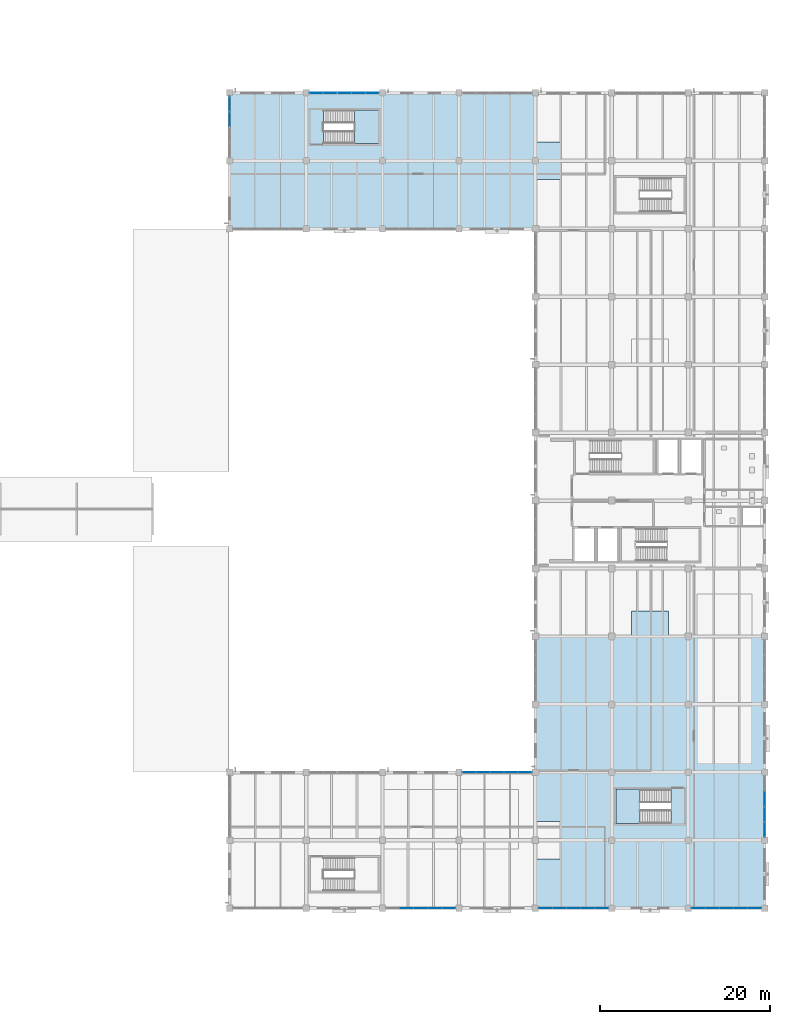
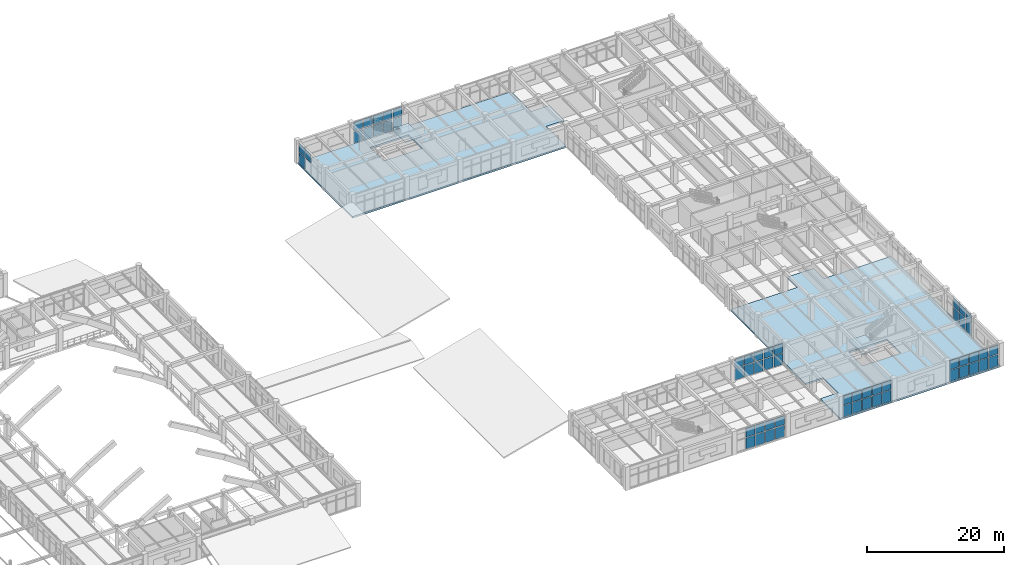
# One storey, part 121 of 148: 57 plates, 4 slabs, 9 elements without a shape of their own.
"""IFC4 building model written with IfcOpenShell, lengths in metres."""

import ifcopenshell
import ifcopenshell.guid

model = None  # the IFC model being written
_history = None  # IfcOwnerHistory: only IFC2X3 demands one
_inside = {}  # id of a spatial element -> (the spatial element, [elements in it])
_under = {}  # id of a project, library or spatial element -> (it, [spatial elements below it])
_declared = {}  # id of a project -> (the project, [libraries it declares])
_typed = {}  # id of a type object -> (the type object, [elements of that type])
_made_of = {}  # id of a material, layer set ... -> (it, [elements and type objects made of it])


def new_model(schema):
    """Start an empty IFC model of exactly this schema.

    Asked for "IFC4X3", IfcOpenShell would pick the latest addendum, in which some entities
    have other attributes; the version numbers below select the first issue.
    IFC2X3 requires an IfcOwnerHistory on every rooted entity: one is made here for all.
    """
    global model, _history
    if schema == "IFC4X3":
        model = ifcopenshell.file(schema_version=(4, 3, 0, 0))
    else:
        model = ifcopenshell.file(schema=schema)
    _inside.clear()
    _under.clear()
    _declared.clear()
    _typed.clear()
    _made_of.clear()
    _history = None
    if model.schema == "IFC2X3":
        org = make("IfcOrganization", Name="unknown")
        user = make(
            "IfcPersonAndOrganization",
            ThePerson=make("IfcPerson", FamilyName="unknown"),
            TheOrganization=org,
        )
        app = make(
            "IfcApplication",
            ApplicationDeveloper=org,
            Version="unknown",
            ApplicationFullName="unknown",
            ApplicationIdentifier="unknown",
        )
        _history = make(
            "IfcOwnerHistory",
            OwningUser=user,
            OwningApplication=app,
            ChangeAction="ADDED",
            CreationDate=0,
        )
    return model


def make(cls, **values):
    """One entity of the class cls with the attributes given. An attribute that is None is left unset."""
    return model.create_entity(
        cls, **{name: value for name, value in values.items() if value is not None}
    )


def rooted(cls, **values):
    """An entity with a GlobalId (a new one), such as an element, a storey or a relation."""
    return make(cls, GlobalId=ifcopenshell.guid.new(), OwnerHistory=_history, **values)


def si_unit(unit_type, name, prefix=None):
    """IfcSIUnit, for example si_unit("LENGTHUNIT", "METRE", prefix="MILLI")."""
    return make("IfcSIUnit", UnitType=unit_type, Prefix=prefix, Name=name)


def derived_unit(unit_type, elements):
    """IfcDerivedUnit: a product of units, each with its exponent."""
    return make(
        "IfcDerivedUnit",
        Elements=[
            make("IfcDerivedUnitElement", Unit=unit, Exponent=power)
            for unit, power in elements
        ],
        UnitType=unit_type,
    )


def assignment(units):
    """IfcUnitAssignment: the units of a project."""
    return None if units is None else make("IfcUnitAssignment", Units=units)


def point(xyz):
    """IfcCartesianPoint."""
    return None if xyz is None else make("IfcCartesianPoint", Coordinates=xyz)


def direction(xyz):
    """IfcDirection."""
    return None if xyz is None else make("IfcDirection", DirectionRatios=xyz)


def frame(location, z_axis=None, x_axis=None):
    """IfcAxis2Placement3D, a coordinate frame: its origin and axes. An axis left out is left unset."""
    return make(
        "IfcAxis2Placement3D",
        Location=point(location),
        Axis=direction(z_axis),
        RefDirection=direction(x_axis),
    )


def frame_2d(location, x_axis=None):
    """IfcAxis2Placement2D, a coordinate frame in the plane: its origin and x axis."""
    return make(
        "IfcAxis2Placement2D", Location=point(location), RefDirection=direction(x_axis)
    )


def origin():
    """The frame at (0, 0, 0) with its axes left unset."""
    return frame((0.0, 0.0, 0.0))


def origin_2d():
    """The frame at (0, 0) in the plane with its x axis left unset."""
    return frame_2d((0.0, 0.0))


def place(relative_to, where):
    """IfcLocalPlacement: puts the frame where relative to a parent placement (None: the world)."""
    return make(
        "IfcLocalPlacement", PlacementRelTo=relative_to, RelativePlacement=where
    )


def context(
    kind, dimensions, precision=None, world=None, true_north=None, identifier=None
):
    """IfcGeometricRepresentationContext, for example the 3D "Model" context."""
    return make(
        "IfcGeometricRepresentationContext",
        ContextIdentifier=identifier,
        ContextType=kind,
        CoordinateSpaceDimension=dimensions,
        Precision=precision,
        WorldCoordinateSystem=world,
        TrueNorth=true_north,
    )


def subcontext(parent, identifier, kind, view, scale=None):
    """IfcGeometricRepresentationSubContext, for example "Body" below "Model"."""
    return make(
        "IfcGeometricRepresentationSubContext",
        ContextIdentifier=identifier,
        ContextType=kind,
        ParentContext=parent,
        TargetScale=scale,
        TargetView=view,
    )


def project(units=None, contexts=None):
    """IfcProject with its units and contexts."""
    return rooted(
        "IfcProject",
        Name="project",
        RepresentationContexts=contexts,
        UnitsInContext=assignment(units),
    )


def spatial(cls, under=None, at=None, **own):
    """A site, building, storey or space (cls), placed at a placement, below another one or the project."""
    s = rooted(cls, ObjectPlacement=at, **own)
    if under is not None:
        _under.setdefault(under.id(), (under, []))[1].append(s)
    return s


def polyline(points):
    """IfcPolyline through the points."""
    return make("IfcPolyline", Points=[point(p) for p in points])


def profile(cls, at=None, kind="AREA", **sizes):
    """A parametric profile (cls). Its sizes go by their IFC names, for example OverallWidth=200.0."""
    return make(cls, ProfileType=kind, Position=at, **sizes)


def rectangle(**sizes):
    """IfcRectangleProfileDef."""
    return profile("IfcRectangleProfileDef", **sizes)


def outline(outer, holes=None, kind="AREA"):
    """IfcArbitraryClosedProfileDef: a profile drawn as a closed curve; with holes, ...WithVoids."""
    if holes is None:
        return make("IfcArbitraryClosedProfileDef", ProfileType=kind, OuterCurve=outer)
    return make(
        "IfcArbitraryProfileDefWithVoids",
        ProfileType=kind,
        OuterCurve=outer,
        InnerCurves=holes,
    )


def extrude(swept, where, along, depth):
    """IfcExtrudedAreaSolid: the profile swept, set in the frame where, extruded along a direction by depth."""
    return make(
        "IfcExtrudedAreaSolid",
        SweptArea=swept,
        Position=where,
        ExtrudedDirection=direction(along),
        Depth=depth,
    )


def shape(context_of_items, identifier, shape_type, items):
    """IfcShapeRepresentation: the items that make up one representation, for example the "Body"."""
    return make(
        "IfcShapeRepresentation",
        ContextOfItems=context_of_items,
        RepresentationIdentifier=identifier,
        RepresentationType=shape_type,
        Items=items,
    )


def material(Name=None, Category=None):
    """IfcMaterial."""
    return make("IfcMaterial", Name=Name, Category=Category)


def layer(
    of_material, thickness, ventilated=None, Name=None, Category=None, Priority=None
):
    """IfcMaterialLayer: one layer of a wall or slab, of a material (None: an air gap)."""
    return make(
        "IfcMaterialLayer",
        Material=of_material,
        LayerThickness=thickness,
        IsVentilated=ventilated,
        Name=Name,
        Category=Category,
        Priority=Priority,
    )


def layer_set(layers, Name=None):
    """IfcMaterialLayerSet."""
    return make("IfcMaterialLayerSet", MaterialLayers=layers, LayerSetName=Name)


def made_of(thing, what):
    """Note that an element or type object is made of a material, layer set ...; save() writes the relation."""
    if what is not None:
        _made_of.setdefault(what.id(), (what, []))[1].append(thing)
    return thing


def type_object(cls, material=None, **own):
    """A type object (cls), such as IfcWallType, which elements share."""
    return made_of(rooted(cls, **own), material)


def element(
    cls,
    number,
    at=None,
    inside=None,
    cuts=None,
    type_object=None,
    material=None,
    context=None,
    identifier="Body",
    shape_type=None,
    held_by="IfcProductDefinitionShape",
    body=None,
    shapes=None,
    **own,
):
    """One element of the class cls, such as IfcWall. Its Tag is "e" and its number.

    at: its placement. inside: the storey or other place that contains it. cuts: it is an
    opening in that element (IfcRelVoidsElement). A single representation is given by context,
    identifier, shape_type and body (its items); several are given by shapes. held_by: the class
    of the entity that holds the representations. save() writes the other relations.
    """
    e = rooted(cls, Tag="e%d" % number, ObjectPlacement=at, **own)
    if body is not None:
        shapes = [shape(context, identifier, shape_type, body)]
    if shapes is not None:
        e.Representation = make(held_by, Representations=shapes)
    if inside is not None:
        _inside.setdefault(inside.id(), (inside, []))[1].append(e)
    if cuts is not None:
        rooted(
            "IfcRelVoidsElement", RelatingBuildingElement=cuts, RelatedOpeningElement=e
        )
    if type_object is not None:
        _typed.setdefault(type_object.id(), (type_object, []))[1].append(e)
    return made_of(e, material)


def aggregate(whole, parts):
    """IfcRelAggregates: a whole, such as a stair, and the parts it consists of."""
    return rooted("IfcRelAggregates", RelatingObject=whole, RelatedObjects=parts)


def save(model, path):
    """Write the relations noted so far, then the file.

    IfcRelAggregates (storeys below a building ...), IfcRelContainedInSpatialStructure (elements
    in a storey), IfcRelDefinesByType, IfcRelAssociatesMaterial and IfcRelDeclares: one each for
    every whole, place, type object, material and project.
    """
    for whole, parts in _under.values():
        aggregate(whole, parts)
    for where, things in _inside.values():
        rooted(
            "IfcRelContainedInSpatialStructure",
            RelatedElements=things,
            RelatingStructure=where,
        )
    for kind, things in _typed.values():
        rooted("IfcRelDefinesByType", RelatedObjects=things, RelatingType=kind)
    for what, things in _made_of.values():
        rooted("IfcRelAssociatesMaterial", RelatedObjects=things, RelatingMaterial=what)
    for by, libraries in _declared.values():
        rooted("IfcRelDeclares", RelatingContext=by, RelatedDefinitions=libraries)
    model.write(path)


model = new_model("IFC4")

# Units and contexts
model_context = context("Model", 3, precision=1e-05, world=origin(), true_north=direction((0.0, 1.0)))
body_context = subcontext(model_context, "Body", "Model", "MODEL_VIEW")
ifc_project = project(units=[si_unit("LENGTHUNIT", "METRE"), si_unit("AREAUNIT", "SQUARE_METRE"), si_unit("VOLUMEUNIT", "CUBIC_METRE"), si_unit("PLANEANGLEUNIT", "RADIAN"), si_unit("MASSUNIT", "GRAM", prefix="KILO"), derived_unit("THERMALTRANSMITTANCEUNIT", [(si_unit("MASSUNIT", "GRAM", prefix="KILO"), 1), (si_unit("TIMEUNIT", "SECOND"), -3), (si_unit("THERMODYNAMICTEMPERATUREUNIT", "KELVIN"), -1)])], contexts=[model_context])

# Site, building, storey
site_placement = place(None, origin())
site = spatial("IfcSite", under=ifc_project, at=site_placement, CompositionType="ELEMENT")
building_placement = place(site_placement, origin())
building = spatial("IfcBuilding", under=site, at=building_placement, Name="Zhenchuan Archway Interchange", CompositionType="ELEMENT")
storey_placement = place(building_placement, frame((0.0, 0.0, 10.199951171875)))
storey = spatial("IfcBuildingStorey", under=building, at=storey_placement, Name="L02", CompositionType="ELEMENT", Elevation=10.199951171875)

# Curtain wall, plates
ifc_material_1 = material(Name="Anodised Aluminium", Category="aluminium")
curtain_wall_type_1 = type_object("IfcCurtainWallType", Name="CW_UNIT_1", PredefinedType="NOTDEFINED", material=ifc_material_1)
curtain_wall_1_placement = place(storey_placement, origin())
curtain_wall_1 = element("IfcCurtainWall", 1, at=curtain_wall_1_placement, inside=storey, type_object=curtain_wall_type_1, Name="Unitised curtain wall CW:L02:148", PredefinedType="NOTDEFINED")
ifc_material_2 = material(Name="Double Low-E Insulated Glazing", Category="glass")
ifc_layer_1 = layer(ifc_material_2, 0.028076171875)
ifc_layer_set_1 = layer_set([ifc_layer_1], Name="Double Low-E Insulated Glazing")
plate_type_1 = type_object("IfcPlateType", Name="CW_GLZ_1", PredefinedType="CURTAIN_PANEL", material=ifc_layer_set_1)
plate_1_placement = place(storey_placement, frame((118.184326171875, 104.0, 0.080078125), z_axis=(0.0, 0.0, 1.0), x_axis=(1.0, 0.0, 0.0)))
plate_1 = element("IfcPlate", 2, at=plate_1_placement, type_object=plate_type_1, Name="CW:L02:148 lower glazing panel 0", PredefinedType="CURTAIN_PANEL", context=body_context, shape_type="SweptSolid", body=[
    extrude(rectangle(XDim=1.502685546875, YDim=0.028076171875, at=origin_2d()), origin(), (0.0, 0.0, 1.0), 2.0048828125),
])
plate_2_placement = place(storey_placement, frame((119.837158203125, 104.0, 0.080078125), z_axis=(0.0, 0.0, 1.0), x_axis=(1.0, 0.0, 0.0)))
plate_2 = element("IfcPlate", 3, at=plate_2_placement, type_object=plate_type_1, Name="CW:L02:148 lower glazing panel 1", PredefinedType="CURTAIN_PANEL", context=body_context, shape_type="SweptSolid", body=[
    extrude(rectangle(XDim=1.522705078125, YDim=0.028076171875, at=origin_2d()), origin(), (0.0, 0.0, 1.0), 2.0048828125),
])
plate_3_placement = place(storey_placement, frame((121.5, 104.0, 0.080078125), z_axis=(0.0, 0.0, 1.0), x_axis=(1.0, 0.0, 0.0)))
plate_3 = element("IfcPlate", 4, at=plate_3_placement, type_object=plate_type_1, Name="CW:L02:148 lower glazing panel 2", PredefinedType="CURTAIN_PANEL", context=body_context, shape_type="SweptSolid", body=[
    extrude(rectangle(XDim=1.522705078125, YDim=0.028076171875, at=origin_2d()), origin(), (0.0, 0.0, 1.0), 2.0048828125),
])
plate_4_placement = place(storey_placement, frame((123.162841796875, 104.0, 0.080078125), z_axis=(0.0, 0.0, 1.0), x_axis=(1.0, 0.0, 0.0)))
plate_4 = element("IfcPlate", 5, at=plate_4_placement, type_object=plate_type_1, Name="CW:L02:148 lower glazing panel 3", PredefinedType="CURTAIN_PANEL", context=body_context, shape_type="SweptSolid", body=[
    extrude(rectangle(XDim=1.522705078125, YDim=0.028076171875, at=origin_2d()), origin(), (0.0, 0.0, 1.0), 2.0048828125),
])
plate_5_placement = place(storey_placement, frame((124.815673828125, 104.0, 0.080078125), z_axis=(0.0, 0.0, 1.0), x_axis=(1.0, 0.0, 0.0)))
plate_5 = element("IfcPlate", 6, at=plate_5_placement, type_object=plate_type_1, Name="CW:L02:148 lower glazing panel 4", PredefinedType="CURTAIN_PANEL", context=body_context, shape_type="SweptSolid", body=[
    extrude(rectangle(XDim=1.502685546875, YDim=0.028076171875, at=origin_2d()), origin(), (0.0, 0.0, 1.0), 2.0048828125),
])

curtain_wall_2_placement = place(storey_placement, origin())
curtain_wall_2 = element("IfcCurtainWall", 7, at=curtain_wall_2_placement, inside=storey, type_object=curtain_wall_type_1, Name="Unitised curtain wall CW:L02:156", PredefinedType="NOTDEFINED")
plate_6_placement = place(storey_placement, frame((169.815673828125, 8.0, 0.080078125), z_axis=(0.0, 0.0, 1.0), x_axis=(-1.0, 0.0, 0.0)))
plate_6 = element("IfcPlate", 8, at=plate_6_placement, type_object=plate_type_1, Name="CW:L02:156 lower glazing panel 0", PredefinedType="CURTAIN_PANEL", context=body_context, shape_type="SweptSolid", body=[
    extrude(rectangle(XDim=1.502685546875, YDim=0.028076171875, at=origin_2d()), origin(), (0.0, 0.0, 1.0), 2.0048828125),
])
plate_7_placement = place(storey_placement, frame((168.162841796875, 8.0, 0.080078125), z_axis=(0.0, 0.0, 1.0), x_axis=(-1.0, 0.0, 0.0)))
plate_7 = element("IfcPlate", 9, at=plate_7_placement, type_object=plate_type_1, Name="CW:L02:156 lower glazing panel 1", PredefinedType="CURTAIN_PANEL", context=body_context, shape_type="SweptSolid", body=[
    extrude(rectangle(XDim=1.522705078125, YDim=0.028076171875, at=origin_2d()), origin(), (0.0, 0.0, 1.0), 2.0048828125),
])
plate_8_placement = place(storey_placement, frame((166.5, 8.0, 0.080078125), z_axis=(0.0, 0.0, 1.0), x_axis=(-1.0, 0.0, 0.0)))
plate_8 = element("IfcPlate", 10, at=plate_8_placement, type_object=plate_type_1, Name="CW:L02:156 lower glazing panel 2", PredefinedType="CURTAIN_PANEL", context=body_context, shape_type="SweptSolid", body=[
    extrude(rectangle(XDim=1.522705078125, YDim=0.028076171875, at=origin_2d()), origin(), (0.0, 0.0, 1.0), 2.0048828125),
])
plate_9_placement = place(storey_placement, frame((164.837158203125, 8.0, 0.080078125), z_axis=(0.0, 0.0, 1.0), x_axis=(-1.0, 0.0, 0.0)))
plate_9 = element("IfcPlate", 11, at=plate_9_placement, type_object=plate_type_1, Name="CW:L02:156 lower glazing panel 3", PredefinedType="CURTAIN_PANEL", context=body_context, shape_type="SweptSolid", body=[
    extrude(rectangle(XDim=1.522705078125, YDim=0.028076171875, at=origin_2d()), origin(), (0.0, 0.0, 1.0), 2.0048828125),
])
plate_10_placement = place(storey_placement, frame((163.184326171875, 8.0, 0.080078125), z_axis=(0.0, 0.0, 1.0), x_axis=(-1.0, 0.0, 0.0)))
plate_10 = element("IfcPlate", 12, at=plate_10_placement, type_object=plate_type_1, Name="CW:L02:156 lower glazing panel 4", PredefinedType="CURTAIN_PANEL", context=body_context, shape_type="SweptSolid", body=[
    extrude(rectangle(XDim=1.502685546875, YDim=0.028076171875, at=origin_2d()), origin(), (0.0, 0.0, 1.0), 2.0048828125),
])

curtain_wall_type_2 = type_object("IfcCurtainWallType", Name="CW_UNIT_2", PredefinedType="NOTDEFINED", material=ifc_material_1)
curtain_wall_3_placement = place(storey_placement, origin())
curtain_wall_3 = element("IfcCurtainWall", 13, at=curtain_wall_3_placement, inside=storey, type_object=curtain_wall_type_2, Name="Unitised curtain wall CW:L02:157", PredefinedType="NOTDEFINED")
plate_11_placement = place(storey_placement, frame((151.815673828125, 8.0, 0.080078125), z_axis=(0.0, 0.0, 1.0), x_axis=(-1.0, 0.0, 0.0)))
plate_11 = element("IfcPlate", 14, at=plate_11_placement, type_object=plate_type_1, Name="CW:L02:157 lower glazing panel 0", PredefinedType="CURTAIN_PANEL", context=body_context, shape_type="SweptSolid", body=[
    extrude(rectangle(XDim=1.502685546875, YDim=0.028076171875, at=origin_2d()), origin(), (0.0, 0.0, 1.0), 2.0048828125),
])
plate_12_placement = place(storey_placement, frame((150.162841796875, 8.0, 0.080078125), z_axis=(0.0, 0.0, 1.0), x_axis=(-1.0, 0.0, 0.0)))
plate_12 = element("IfcPlate", 15, at=plate_12_placement, type_object=plate_type_1, Name="CW:L02:157 lower glazing panel 1", PredefinedType="CURTAIN_PANEL", context=body_context, shape_type="SweptSolid", body=[
    extrude(rectangle(XDim=1.522705078125, YDim=0.028076171875, at=origin_2d()), origin(), (0.0, 0.0, 1.0), 2.0048828125),
])
plate_13_placement = place(storey_placement, frame((148.5, 8.0, 0.080078125), z_axis=(0.0, 0.0, 1.0), x_axis=(-1.0, 0.0, 0.0)))
plate_13 = element("IfcPlate", 16, at=plate_13_placement, type_object=plate_type_1, Name="CW:L02:157 lower glazing panel 2", PredefinedType="CURTAIN_PANEL", context=body_context, shape_type="SweptSolid", body=[
    extrude(rectangle(XDim=1.522705078125, YDim=0.028076171875, at=origin_2d()), origin(), (0.0, 0.0, 1.0), 2.0048828125),
])
plate_14_placement = place(storey_placement, frame((146.837158203125, 8.0, 0.080078125), z_axis=(0.0, 0.0, 1.0), x_axis=(-1.0, 0.0, 0.0)))
plate_14 = element("IfcPlate", 17, at=plate_14_placement, type_object=plate_type_1, Name="CW:L02:157 lower glazing panel 3", PredefinedType="CURTAIN_PANEL", context=body_context, shape_type="SweptSolid", body=[
    extrude(rectangle(XDim=1.522705078125, YDim=0.028076171875, at=origin_2d()), origin(), (0.0, 0.0, 1.0), 2.0048828125),
])
plate_15_placement = place(storey_placement, frame((145.184326171875, 8.0, 0.080078125), z_axis=(0.0, 0.0, 1.0), x_axis=(-1.0, 0.0, 0.0)))
plate_15 = element("IfcPlate", 18, at=plate_15_placement, type_object=plate_type_1, Name="CW:L02:157 lower glazing panel 4", PredefinedType="CURTAIN_PANEL", context=body_context, shape_type="SweptSolid", body=[
    extrude(rectangle(XDim=1.502685546875, YDim=0.028076171875, at=origin_2d()), origin(), (0.0, 0.0, 1.0), 2.0048828125),
])

curtain_wall_type_3 = type_object("IfcCurtainWallType", Name="CW_UNIT_3", PredefinedType="NOTDEFINED", material=ifc_material_1)
curtain_wall_4_placement = place(storey_placement, origin())
curtain_wall_4 = element("IfcCurtainWall", 19, at=curtain_wall_4_placement, inside=storey, type_object=curtain_wall_type_3, Name="Unitised curtain wall CW:L02:158", PredefinedType="NOTDEFINED")
plate_16_placement = place(storey_placement, frame((133.815673828125, 8.0, 0.080078125), z_axis=(0.0, 0.0, 1.0), x_axis=(-1.0, 0.0, 0.0)))
plate_16 = element("IfcPlate", 20, at=plate_16_placement, type_object=plate_type_1, Name="CW:L02:158 lower glazing panel 0", PredefinedType="CURTAIN_PANEL", context=body_context, shape_type="SweptSolid", body=[
    extrude(rectangle(XDim=1.502685546875, YDim=0.028076171875, at=origin_2d()), origin(), (0.0, 0.0, 1.0), 2.0048828125),
])
plate_17_placement = place(storey_placement, frame((132.162841796875, 8.0, 0.080078125), z_axis=(0.0, 0.0, 1.0), x_axis=(-1.0, 0.0, 0.0)))
plate_17 = element("IfcPlate", 21, at=plate_17_placement, type_object=plate_type_1, Name="CW:L02:158 lower glazing panel 1", PredefinedType="CURTAIN_PANEL", context=body_context, shape_type="SweptSolid", body=[
    extrude(rectangle(XDim=1.522705078125, YDim=0.028076171875, at=origin_2d()), origin(), (0.0, 0.0, 1.0), 2.0048828125),
])
plate_18_placement = place(storey_placement, frame((130.5, 8.0, 0.080078125), z_axis=(0.0, 0.0, 1.0), x_axis=(-1.0, 0.0, 0.0)))
plate_18 = element("IfcPlate", 22, at=plate_18_placement, type_object=plate_type_1, Name="CW:L02:158 lower glazing panel 2", PredefinedType="CURTAIN_PANEL", context=body_context, shape_type="SweptSolid", body=[
    extrude(rectangle(XDim=1.522705078125, YDim=0.028076171875, at=origin_2d()), origin(), (0.0, 0.0, 1.0), 2.0048828125),
])
plate_19_placement = place(storey_placement, frame((128.837158203125, 8.0, 0.080078125), z_axis=(0.0, 0.0, 1.0), x_axis=(-1.0, 0.0, 0.0)))
plate_19 = element("IfcPlate", 23, at=plate_19_placement, type_object=plate_type_1, Name="CW:L02:158 lower glazing panel 3", PredefinedType="CURTAIN_PANEL", context=body_context, shape_type="SweptSolid", body=[
    extrude(rectangle(XDim=1.522705078125, YDim=0.028076171875, at=origin_2d()), origin(), (0.0, 0.0, 1.0), 2.0048828125),
])

curtain_wall_5_placement = place(storey_placement, origin())
curtain_wall_5 = element("IfcCurtainWall", 24, at=curtain_wall_5_placement, inside=storey, type_object=curtain_wall_type_3, Name="Unitised curtain wall CW:L02:162", PredefinedType="NOTDEFINED")
plate_20_placement = place(storey_placement, frame((136.181884765625, 24.0, 0.080078125), z_axis=(0.0, 0.0, 1.0), x_axis=(1.0, 0.0, 0.0)))
plate_20 = element("IfcPlate", 25, at=plate_20_placement, type_object=plate_type_1, Name="CW:L02:162 lower glazing panel 0", PredefinedType="CURTAIN_PANEL", context=body_context, shape_type="SweptSolid", body=[
    extrude(rectangle(XDim=1.497802734375, YDim=0.028076171875, at=origin_2d()), origin(), (0.0, 0.0, 1.0), 2.0048828125),
])
plate_21_placement = place(storey_placement, frame((137.82958984375, 24.0, 0.080078125), z_axis=(0.0, 0.0, 1.0), x_axis=(1.0, 0.0, 0.0)))
plate_21 = element("IfcPlate", 26, at=plate_21_placement, type_object=plate_type_1, Name="CW:L02:162 lower glazing panel 1", PredefinedType="CURTAIN_PANEL", context=body_context, shape_type="SweptSolid", body=[
    extrude(rectangle(XDim=1.517822265625, YDim=0.028076171875, at=origin_2d()), origin(), (0.0, 0.0, 1.0), 2.0048828125),
])
plate_22_placement = place(storey_placement, frame((139.487548828125, 24.0, 0.080078125), z_axis=(0.0, 0.0, 1.0), x_axis=(1.0, 0.0, 0.0)))
plate_22 = element("IfcPlate", 27, at=plate_22_placement, type_object=plate_type_1, Name="CW:L02:162 lower glazing panel 2", PredefinedType="CURTAIN_PANEL", context=body_context, shape_type="SweptSolid", body=[
    extrude(rectangle(XDim=1.517822265625, YDim=0.028076171875, at=origin_2d()), origin(), (0.0, 0.0, 1.0), 2.0048828125),
])
plate_23_placement = place(storey_placement, frame((141.145263671875, 24.0, 0.080078125), z_axis=(0.0, 0.0, 1.0), x_axis=(1.0, 0.0, 0.0)))
plate_23 = element("IfcPlate", 28, at=plate_23_placement, type_object=plate_type_1, Name="CW:L02:162 lower glazing panel 3", PredefinedType="CURTAIN_PANEL", context=body_context, shape_type="SweptSolid", body=[
    extrude(rectangle(XDim=1.517822265625, YDim=0.028076171875, at=origin_2d()), origin(), (0.0, 0.0, 1.0), 2.0048828125),
])
plate_24_placement = place(storey_placement, frame((142.793212890625, 24.0, 0.080078125), z_axis=(0.0, 0.0, 1.0), x_axis=(1.0, 0.0, 0.0)))
plate_24 = element("IfcPlate", 29, at=plate_24_placement, type_object=plate_type_1, Name="CW:L02:162 lower glazing panel 4", PredefinedType="CURTAIN_PANEL", context=body_context, shape_type="SweptSolid", body=[
    extrude(rectangle(XDim=1.497802734375, YDim=0.028076171875, at=origin_2d()), origin(), (0.0, 0.0, 1.0), 2.0048828125),
])

# Plate
ifc_layer_2 = layer(ifc_material_2, 0.02587890625)
ifc_layer_set_2 = layer_set([ifc_layer_2], Name="Double Low-E Insulated Glazing")
plate_type_2 = type_object("IfcPlateType", Name="CW_GLZ_2", PredefinedType="CURTAIN_PANEL", material=ifc_layer_set_2)
plate_25_placement = place(storey_placement, frame((118.184326171875, 104.0, 2.205078125), z_axis=(0.0, 0.0, 1.0), x_axis=(1.0, 0.0, 0.0)))
plate_25 = element("IfcPlate", 30, at=plate_25_placement, type_object=plate_type_2, Name="CW:L02:148 upper glazing panel 0", PredefinedType="CURTAIN_PANEL", context=body_context, shape_type="SweptSolid", body=[
    extrude(rectangle(XDim=1.502685546875, YDim=0.02587890625, at=origin_2d()), origin(), (0.0, 0.0, 1.0), 1.614990234375),
])

plate_26_placement = place(storey_placement, frame((119.837158203125, 104.0, 2.205078125), z_axis=(0.0, 0.0, 1.0), x_axis=(1.0, 0.0, 0.0)))
plate_26 = element("IfcPlate", 31, at=plate_26_placement, type_object=plate_type_2, Name="CW:L02:148 upper glazing panel 1", PredefinedType="CURTAIN_PANEL", context=body_context, shape_type="SweptSolid", body=[
    extrude(rectangle(XDim=1.522705078125, YDim=0.02587890625, at=origin_2d()), origin(), (0.0, 0.0, 1.0), 1.614990234375),
])

plate_27_placement = place(storey_placement, frame((121.5, 104.0, 2.205078125), z_axis=(0.0, 0.0, 1.0), x_axis=(1.0, 0.0, 0.0)))
plate_27 = element("IfcPlate", 32, at=plate_27_placement, type_object=plate_type_2, Name="CW:L02:148 upper glazing panel 2", PredefinedType="CURTAIN_PANEL", context=body_context, shape_type="SweptSolid", body=[
    extrude(rectangle(XDim=1.522705078125, YDim=0.02587890625, at=origin_2d()), origin(), (0.0, 0.0, 1.0), 1.614990234375),
])

plate_28_placement = place(storey_placement, frame((123.162841796875, 104.0, 2.205078125), z_axis=(0.0, 0.0, 1.0), x_axis=(1.0, 0.0, 0.0)))
plate_28 = element("IfcPlate", 33, at=plate_28_placement, type_object=plate_type_2, Name="CW:L02:148 upper glazing panel 3", PredefinedType="CURTAIN_PANEL", context=body_context, shape_type="SweptSolid", body=[
    extrude(rectangle(XDim=1.522705078125, YDim=0.02587890625, at=origin_2d()), origin(), (0.0, 0.0, 1.0), 1.614990234375),
])

plate_29_placement = place(storey_placement, frame((124.815673828125, 104.0, 2.205078125), z_axis=(0.0, 0.0, 1.0), x_axis=(1.0, 0.0, 0.0)))
plate_29 = element("IfcPlate", 34, at=plate_29_placement, type_object=plate_type_2, Name="CW:L02:148 upper glazing panel 4", PredefinedType="CURTAIN_PANEL", context=body_context, shape_type="SweptSolid", body=[
    extrude(rectangle(XDim=1.502685546875, YDim=0.02587890625, at=origin_2d()), origin(), (0.0, 0.0, 1.0), 1.614990234375),
])

aggregate(curtain_wall_1, [plate_1, plate_25, plate_2, plate_26, plate_3, plate_27, plate_4, plate_28, plate_5, plate_29])

plate_30_placement = place(storey_placement, frame((169.815673828125, 8.0, 2.205078125), z_axis=(0.0, 0.0, 1.0), x_axis=(-1.0, 0.0, 0.0)))
plate_30 = element("IfcPlate", 35, at=plate_30_placement, type_object=plate_type_2, Name="CW:L02:156 upper glazing panel 0", PredefinedType="CURTAIN_PANEL", context=body_context, shape_type="SweptSolid", body=[
    extrude(rectangle(XDim=1.502685546875, YDim=0.02587890625, at=origin_2d()), origin(), (0.0, 0.0, 1.0), 1.614990234375),
])

plate_31_placement = place(storey_placement, frame((168.162841796875, 8.0, 2.205078125), z_axis=(0.0, 0.0, 1.0), x_axis=(-1.0, 0.0, 0.0)))
plate_31 = element("IfcPlate", 36, at=plate_31_placement, type_object=plate_type_2, Name="CW:L02:156 upper glazing panel 1", PredefinedType="CURTAIN_PANEL", context=body_context, shape_type="SweptSolid", body=[
    extrude(rectangle(XDim=1.522705078125, YDim=0.02587890625, at=origin_2d()), origin(), (0.0, 0.0, 1.0), 1.614990234375),
])

plate_32_placement = place(storey_placement, frame((166.5, 8.0, 2.205078125), z_axis=(0.0, 0.0, 1.0), x_axis=(-1.0, 0.0, 0.0)))
plate_32 = element("IfcPlate", 37, at=plate_32_placement, type_object=plate_type_2, Name="CW:L02:156 upper glazing panel 2", PredefinedType="CURTAIN_PANEL", context=body_context, shape_type="SweptSolid", body=[
    extrude(rectangle(XDim=1.522705078125, YDim=0.02587890625, at=origin_2d()), origin(), (0.0, 0.0, 1.0), 1.614990234375),
])

plate_33_placement = place(storey_placement, frame((164.837158203125, 8.0, 2.205078125), z_axis=(0.0, 0.0, 1.0), x_axis=(-1.0, 0.0, 0.0)))
plate_33 = element("IfcPlate", 38, at=plate_33_placement, type_object=plate_type_2, Name="CW:L02:156 upper glazing panel 3", PredefinedType="CURTAIN_PANEL", context=body_context, shape_type="SweptSolid", body=[
    extrude(rectangle(XDim=1.522705078125, YDim=0.02587890625, at=origin_2d()), origin(), (0.0, 0.0, 1.0), 1.614990234375),
])

plate_34_placement = place(storey_placement, frame((163.184326171875, 8.0, 2.205078125), z_axis=(0.0, 0.0, 1.0), x_axis=(-1.0, 0.0, 0.0)))
plate_34 = element("IfcPlate", 39, at=plate_34_placement, type_object=plate_type_2, Name="CW:L02:156 upper glazing panel 4", PredefinedType="CURTAIN_PANEL", context=body_context, shape_type="SweptSolid", body=[
    extrude(rectangle(XDim=1.502685546875, YDim=0.02587890625, at=origin_2d()), origin(), (0.0, 0.0, 1.0), 1.614990234375),
])

aggregate(curtain_wall_2, [plate_6, plate_30, plate_7, plate_31, plate_8, plate_32, plate_9, plate_33, plate_10, plate_34])

plate_35_placement = place(storey_placement, frame((151.815673828125, 8.0, 2.205078125), z_axis=(0.0, 0.0, 1.0), x_axis=(-1.0, 0.0, 0.0)))
plate_35 = element("IfcPlate", 40, at=plate_35_placement, type_object=plate_type_2, Name="CW:L02:157 upper glazing panel 0", PredefinedType="CURTAIN_PANEL", context=body_context, shape_type="SweptSolid", body=[
    extrude(rectangle(XDim=1.502685546875, YDim=0.02587890625, at=origin_2d()), origin(), (0.0, 0.0, 1.0), 1.614990234375),
])

plate_36_placement = place(storey_placement, frame((150.162841796875, 8.0, 2.205078125), z_axis=(0.0, 0.0, 1.0), x_axis=(-1.0, 0.0, 0.0)))
plate_36 = element("IfcPlate", 41, at=plate_36_placement, type_object=plate_type_2, Name="CW:L02:157 upper glazing panel 1", PredefinedType="CURTAIN_PANEL", context=body_context, shape_type="SweptSolid", body=[
    extrude(rectangle(XDim=1.522705078125, YDim=0.02587890625, at=origin_2d()), origin(), (0.0, 0.0, 1.0), 1.614990234375),
])

plate_37_placement = place(storey_placement, frame((148.5, 8.0, 2.205078125), z_axis=(0.0, 0.0, 1.0), x_axis=(-1.0, 0.0, 0.0)))
plate_37 = element("IfcPlate", 42, at=plate_37_placement, type_object=plate_type_2, Name="CW:L02:157 upper glazing panel 2", PredefinedType="CURTAIN_PANEL", context=body_context, shape_type="SweptSolid", body=[
    extrude(rectangle(XDim=1.522705078125, YDim=0.02587890625, at=origin_2d()), origin(), (0.0, 0.0, 1.0), 1.614990234375),
])

plate_38_placement = place(storey_placement, frame((146.837158203125, 8.0, 2.205078125), z_axis=(0.0, 0.0, 1.0), x_axis=(-1.0, 0.0, 0.0)))
plate_38 = element("IfcPlate", 43, at=plate_38_placement, type_object=plate_type_2, Name="CW:L02:157 upper glazing panel 3", PredefinedType="CURTAIN_PANEL", context=body_context, shape_type="SweptSolid", body=[
    extrude(rectangle(XDim=1.522705078125, YDim=0.02587890625, at=origin_2d()), origin(), (0.0, 0.0, 1.0), 1.614990234375),
])

plate_39_placement = place(storey_placement, frame((145.184326171875, 8.0, 2.205078125), z_axis=(0.0, 0.0, 1.0), x_axis=(-1.0, 0.0, 0.0)))
plate_39 = element("IfcPlate", 44, at=plate_39_placement, type_object=plate_type_2, Name="CW:L02:157 upper glazing panel 4", PredefinedType="CURTAIN_PANEL", context=body_context, shape_type="SweptSolid", body=[
    extrude(rectangle(XDim=1.502685546875, YDim=0.02587890625, at=origin_2d()), origin(), (0.0, 0.0, 1.0), 1.614990234375),
])

aggregate(curtain_wall_3, [plate_11, plate_35, plate_12, plate_36, plate_13, plate_37, plate_14, plate_38, plate_15, plate_39])

plate_40_placement = place(storey_placement, frame((133.815673828125, 8.0, 2.205078125), z_axis=(0.0, 0.0, 1.0), x_axis=(-1.0, 0.0, 0.0)))
plate_40 = element("IfcPlate", 45, at=plate_40_placement, type_object=plate_type_2, Name="CW:L02:158 upper glazing panel 0", PredefinedType="CURTAIN_PANEL", context=body_context, shape_type="SweptSolid", body=[
    extrude(rectangle(XDim=1.502685546875, YDim=0.02587890625, at=origin_2d()), origin(), (0.0, 0.0, 1.0), 1.614990234375),
])

plate_41_placement = place(storey_placement, frame((132.162841796875, 8.0, 2.205078125), z_axis=(0.0, 0.0, 1.0), x_axis=(-1.0, 0.0, 0.0)))
plate_41 = element("IfcPlate", 46, at=plate_41_placement, type_object=plate_type_2, Name="CW:L02:158 upper glazing panel 1", PredefinedType="CURTAIN_PANEL", context=body_context, shape_type="SweptSolid", body=[
    extrude(rectangle(XDim=1.522705078125, YDim=0.02587890625, at=origin_2d()), origin(), (0.0, 0.0, 1.0), 1.614990234375),
])

plate_42_placement = place(storey_placement, frame((130.5, 8.0, 2.205078125), z_axis=(0.0, 0.0, 1.0), x_axis=(-1.0, 0.0, 0.0)))
plate_42 = element("IfcPlate", 47, at=plate_42_placement, type_object=plate_type_2, Name="CW:L02:158 upper glazing panel 2", PredefinedType="CURTAIN_PANEL", context=body_context, shape_type="SweptSolid", body=[
    extrude(rectangle(XDim=1.522705078125, YDim=0.02587890625, at=origin_2d()), origin(), (0.0, 0.0, 1.0), 1.614990234375),
])

plate_43_placement = place(storey_placement, frame((128.837158203125, 8.0, 2.205078125), z_axis=(0.0, 0.0, 1.0), x_axis=(-1.0, 0.0, 0.0)))
plate_43 = element("IfcPlate", 48, at=plate_43_placement, type_object=plate_type_2, Name="CW:L02:158 upper glazing panel 3", PredefinedType="CURTAIN_PANEL", context=body_context, shape_type="SweptSolid", body=[
    extrude(rectangle(XDim=1.522705078125, YDim=0.02587890625, at=origin_2d()), origin(), (0.0, 0.0, 1.0), 1.614990234375),
])

aggregate(curtain_wall_4, [plate_16, plate_40, plate_17, plate_41, plate_18, plate_42, plate_19, plate_43])

plate_44_placement = place(storey_placement, frame((136.181884765625, 24.0, 2.205078125), z_axis=(0.0, 0.0, 1.0), x_axis=(1.0, 0.0, 0.0)))
plate_44 = element("IfcPlate", 49, at=plate_44_placement, type_object=plate_type_2, Name="CW:L02:162 upper glazing panel 0", PredefinedType="CURTAIN_PANEL", context=body_context, shape_type="SweptSolid", body=[
    extrude(rectangle(XDim=1.497802734375, YDim=0.02587890625, at=origin_2d()), origin(), (0.0, 0.0, 1.0), 1.614990234375),
])

plate_45_placement = place(storey_placement, frame((137.82958984375, 24.0, 2.205078125), z_axis=(0.0, 0.0, 1.0), x_axis=(1.0, 0.0, 0.0)))
plate_45 = element("IfcPlate", 50, at=plate_45_placement, type_object=plate_type_2, Name="CW:L02:162 upper glazing panel 1", PredefinedType="CURTAIN_PANEL", context=body_context, shape_type="SweptSolid", body=[
    extrude(rectangle(XDim=1.517822265625, YDim=0.02587890625, at=origin_2d()), origin(), (0.0, 0.0, 1.0), 1.614990234375),
])

plate_46_placement = place(storey_placement, frame((139.487548828125, 24.0, 2.205078125), z_axis=(0.0, 0.0, 1.0), x_axis=(1.0, 0.0, 0.0)))
plate_46 = element("IfcPlate", 51, at=plate_46_placement, type_object=plate_type_2, Name="CW:L02:162 upper glazing panel 2", PredefinedType="CURTAIN_PANEL", context=body_context, shape_type="SweptSolid", body=[
    extrude(rectangle(XDim=1.517822265625, YDim=0.02587890625, at=origin_2d()), origin(), (0.0, 0.0, 1.0), 1.614990234375),
])

plate_47_placement = place(storey_placement, frame((141.145263671875, 24.0, 2.205078125), z_axis=(0.0, 0.0, 1.0), x_axis=(1.0, 0.0, 0.0)))
plate_47 = element("IfcPlate", 52, at=plate_47_placement, type_object=plate_type_2, Name="CW:L02:162 upper glazing panel 3", PredefinedType="CURTAIN_PANEL", context=body_context, shape_type="SweptSolid", body=[
    extrude(rectangle(XDim=1.517822265625, YDim=0.02587890625, at=origin_2d()), origin(), (0.0, 0.0, 1.0), 1.614990234375),
])

plate_48_placement = place(storey_placement, frame((142.793212890625, 24.0, 2.205078125), z_axis=(0.0, 0.0, 1.0), x_axis=(1.0, 0.0, 0.0)))
plate_48 = element("IfcPlate", 53, at=plate_48_placement, type_object=plate_type_2, Name="CW:L02:162 upper glazing panel 4", PredefinedType="CURTAIN_PANEL", context=body_context, shape_type="SweptSolid", body=[
    extrude(rectangle(XDim=1.497802734375, YDim=0.02587890625, at=origin_2d()), origin(), (0.0, 0.0, 1.0), 1.614990234375),
])

aggregate(curtain_wall_5, [plate_20, plate_44, plate_21, plate_45, plate_22, plate_46, plate_23, plate_47, plate_24, plate_48])

# Curtain wall, plate
curtain_wall_type_4 = type_object("IfcCurtainWallType", Name="CW_UNIT_4", PredefinedType="NOTDEFINED", material=ifc_material_1)
curtain_wall_6_placement = place(storey_placement, origin())
curtain_wall_6 = element("IfcCurtainWall", 54, at=curtain_wall_6_placement, inside=storey, type_object=curtain_wall_type_4, Name="Unitised curtain wall CW:L02:147", PredefinedType="NOTDEFINED")
ifc_layer_3 = layer(ifc_material_2, 0.030029296875)
ifc_layer_set_3 = layer_set([ifc_layer_3], Name="Double Low-E Insulated Glazing")
plate_type_3 = type_object("IfcPlateType", Name="CW_GLZ_3", PredefinedType="CURTAIN_PANEL", material=ifc_layer_set_3)
plate_49_placement = place(storey_placement, frame((108.0, 102.732666015625, 0.080078125), z_axis=(0.0, 0.0, 1.0), x_axis=(0.0, 1.0, 0.0)))
plate_49 = element("IfcPlate", 55, at=plate_49_placement, type_object=plate_type_3, Name="CW:L02:147 lower glazing panel 3", PredefinedType="CURTAIN_PANEL", context=body_context, shape_type="SweptSolid", body=[
    extrude(rectangle(XDim=1.66845703125, YDim=0.028076171875, at=origin_2d()), origin(), (0.0, 0.0, 1.0), 2.0048828125),
])

# Curtain wall, plates
curtain_wall_7_placement = place(storey_placement, origin())
curtain_wall_7 = element("IfcCurtainWall", 56, at=curtain_wall_7_placement, inside=storey, type_object=curtain_wall_type_4, Name="Unitised curtain wall CW:L02:155", PredefinedType="NOTDEFINED")
plate_50_placement = place(storey_placement, frame((171.0, 20.898681640625, 0.080078125), z_axis=(0.0, 0.0, 1.0), x_axis=(0.0, -1.0, 0.0)))
plate_50 = element("IfcPlate", 57, at=plate_50_placement, type_object=plate_type_3, Name="CW:L02:155 lower glazing panel 1", PredefinedType="CURTAIN_PANEL", context=body_context, shape_type="SweptSolid", body=[
    extrude(rectangle(XDim=1.682373046875, YDim=0.028076171875, at=origin_2d()), origin(), (0.0, 0.0, 1.0), 2.0048828125),
])
plate_51_placement = place(storey_placement, frame((171.0, 19.076416015625, 0.080078125), z_axis=(0.0, 0.0, 1.0), x_axis=(0.0, -1.0, 0.0)))
plate_51 = element("IfcPlate", 58, at=plate_51_placement, type_object=plate_type_3, Name="CW:L02:155 lower glazing panel 2", PredefinedType="CURTAIN_PANEL", context=body_context, shape_type="SweptSolid", body=[
    extrude(rectangle(XDim=1.682373046875, YDim=0.028076171875, at=origin_2d()), origin(), (0.0, 0.0, 1.0), 2.0048828125),
])
plate_52_placement = place(storey_placement, frame((171.0, 17.26416015625, 0.080078125), z_axis=(0.0, 0.0, 1.0), x_axis=(0.0, -1.0, 0.0)))
plate_52 = element("IfcPlate", 59, at=plate_52_placement, type_object=plate_type_3, Name="CW:L02:155 lower glazing panel 3", PredefinedType="CURTAIN_PANEL", context=body_context, shape_type="SweptSolid", body=[
    extrude(rectangle(XDim=1.662353515625, YDim=0.028076171875, at=origin_2d()), origin(), (0.0, 0.0, 1.0), 2.0048828125),
])

# Plate
ifc_layer_4 = layer(ifc_material_2, 0.02392578125)
ifc_layer_set_4 = layer_set([ifc_layer_4], Name="Double Low-E Insulated Glazing")
plate_type_4 = type_object("IfcPlateType", Name="CW_GLZ_4", PredefinedType="CURTAIN_PANEL", material=ifc_layer_set_4)
plate_53_placement = place(storey_placement, frame((108.0, 100.914306640625, 2.205078125), z_axis=(0.0, 0.0, 1.0), x_axis=(0.0, 1.0, 0.0)))
plate_53 = element("IfcPlate", 60, at=plate_53_placement, type_object=plate_type_4, Name="CW:L02:147 upper glazing panel 2", PredefinedType="CURTAIN_PANEL", context=body_context, shape_type="SweptSolid", body=[
    extrude(rectangle(XDim=1.6884765625, YDim=0.02587890625, at=origin_2d()), origin(), (0.0, 0.0, 1.0), 1.614990234375),
])

plate_54_placement = place(storey_placement, frame((108.0, 102.732666015625, 2.205078125), z_axis=(0.0, 0.0, 1.0), x_axis=(0.0, 1.0, 0.0)))
plate_54 = element("IfcPlate", 61, at=plate_54_placement, type_object=plate_type_4, Name="CW:L02:147 upper glazing panel 3", PredefinedType="CURTAIN_PANEL", context=body_context, shape_type="SweptSolid", body=[
    extrude(rectangle(XDim=1.66845703125, YDim=0.02587890625, at=origin_2d()), origin(), (0.0, 0.0, 1.0), 1.614990234375),
])

aggregate(curtain_wall_6, [plate_53, plate_49, plate_54])

plate_55_placement = place(storey_placement, frame((171.0, 20.898681640625, 2.205078125), z_axis=(0.0, 0.0, 1.0), x_axis=(0.0, -1.0, 0.0)))
plate_55 = element("IfcPlate", 62, at=plate_55_placement, type_object=plate_type_4, Name="CW:L02:155 upper glazing panel 1", PredefinedType="CURTAIN_PANEL", context=body_context, shape_type="SweptSolid", body=[
    extrude(rectangle(XDim=1.682373046875, YDim=0.02587890625, at=origin_2d()), origin(), (0.0, 0.0, 1.0), 1.614990234375),
])

plate_56_placement = place(storey_placement, frame((171.0, 19.076416015625, 2.205078125), z_axis=(0.0, 0.0, 1.0), x_axis=(0.0, -1.0, 0.0)))
plate_56 = element("IfcPlate", 63, at=plate_56_placement, type_object=plate_type_4, Name="CW:L02:155 upper glazing panel 2", PredefinedType="CURTAIN_PANEL", context=body_context, shape_type="SweptSolid", body=[
    extrude(rectangle(XDim=1.682373046875, YDim=0.02587890625, at=origin_2d()), origin(), (0.0, 0.0, 1.0), 1.614990234375),
])

plate_57_placement = place(storey_placement, frame((171.0, 17.26416015625, 2.205078125), z_axis=(0.0, 0.0, 1.0), x_axis=(0.0, -1.0, 0.0)))
plate_57 = element("IfcPlate", 64, at=plate_57_placement, type_object=plate_type_4, Name="CW:L02:155 upper glazing panel 3", PredefinedType="CURTAIN_PANEL", context=body_context, shape_type="SweptSolid", body=[
    extrude(rectangle(XDim=1.662353515625, YDim=0.02587890625, at=origin_2d()), origin(), (0.0, 0.0, 1.0), 1.614990234375),
])

aggregate(curtain_wall_7, [plate_50, plate_55, plate_51, plate_56, plate_52, plate_57])

# Slabs
ifc_material_3 = material(Name="Concrete C35", Category="concrete")
ifc_layer_5 = layer(ifc_material_3, 0.2900390625)
ifc_layer_set_5 = layer_set([ifc_layer_5], Name="Concrete C35")
slab_type_1 = type_object("IfcSlabType", Name="SLB_FLR_290", PredefinedType="FLOOR", material=ifc_layer_set_5)
slab_1_placement = place(storey_placement, frame((0.0, 0.0, -0.2900390625)))
element("IfcSlab", 65, at=slab_1_placement, inside=storey, type_object=slab_type_1, Name="Structural slab L02 OPS-N", PredefinedType="FLOOR", context=body_context, shape_type="SweptSolid", body=[
    extrude(outline(polyline([(108.0, 88.0), (108.0, 104.0), (144.0, 104.0), (144.0, 98.197998046875), (146.998046875, 98.197998046875), (146.998046875, 93.802001953125), (144.0, 93.802001953125), (144.0, 88.0), (108.0, 88.0)]), holes=[polyline([(125.4951171875, 98.02490234375), (125.4951171875, 101.97509765625), (119.02490234375, 101.97509765625), (119.02490234375, 98.02490234375), (125.4951171875, 98.02490234375)])]), origin(), (0.0, 0.0, 1.0), 0.2900390625),
])
slab_2_placement = place(storey_placement, frame((0.0, 0.0, -0.2900390625)))
element("IfcSlab", 66, at=slab_2_placement, inside=storey, type_object=slab_type_1, Name="Structural slab L02 OPS-ES", PredefinedType="FLOOR", context=body_context, shape_type="SweptSolid", body=[
    extrude(outline(polyline([(155.302001953125, 42.998046875), (159.697998046875, 42.998046875), (159.697998046875, 40.0), (171.0, 40.0), (171.0, 8.0), (144.0, 8.0), (144.0, 13.800048828125), (147.0, 13.800048828125), (147.0, 18.199951171875), (144.0, 18.199951171875), (144.0, 40.0), (155.302001953125, 40.0), (155.302001953125, 42.998046875)]), holes=[polyline([(159.97509765625, 17.97509765625), (159.97509765625, 22.02490234375), (153.5048828125, 22.02490234375), (153.5048828125, 17.97509765625), (159.97509765625, 17.97509765625)])]), origin(), (0.0, 0.0, 1.0), 0.2900390625),
])

# Stair, slab
stair_type_1 = type_object("IfcStairType", Name="STR_HALF_1550", PredefinedType="HALF_TURN_STAIR", material=ifc_material_3)
stair_1_placement = place(storey_placement, origin())
stair_1 = element("IfcStair", 67, at=stair_1_placement, inside=storey, type_object=stair_type_1, Name="Stair ST-O4 (L02)", PredefinedType="HALF_TURN_STAIR")
ifc_layer_6 = layer(ifc_material_3, 0.199951171875)
ifc_layer_set_6 = layer_set([ifc_layer_6], Name="Concrete C35")
slab_type_2 = type_object("IfcSlabType", Name="SLB_LANDING_200", PredefinedType="LANDING", material=ifc_layer_set_6)
slab_3_placement = place(storey_placement, frame((0.0, 0.0, 1.900146484375)))
slab_3 = element("IfcSlab", 68, at=slab_3_placement, type_object=slab_type_2, Name="Stair ST-O4 half-landing (L02)", PredefinedType="LANDING", context=body_context, shape_type="SweptSolid", body=[
    extrude(outline(polyline([(153.5029296875, 17.972900390625), (156.31494140625, 17.972900390625), (156.31494140625, 22.027099609375), (153.5029296875, 22.027099609375), (153.5029296875, 17.972900390625)])), origin(), (0.0, 0.0, 1.0), 0.199951171875),
])
aggregate(stair_1, [slab_3])

stair_type_2 = type_object("IfcStairType", Name="STR_HALF_1450", PredefinedType="HALF_TURN_STAIR", material=ifc_material_3)
stair_2_placement = place(storey_placement, origin())
stair_2 = element("IfcStair", 69, at=stair_2_placement, inside=storey, type_object=stair_type_2, Name="Stair ST-O6 (L02)", PredefinedType="HALF_TURN_STAIR")
slab_4_placement = place(storey_placement, frame((0.0, 0.0, 1.900146484375)))
slab_4 = element("IfcSlab", 70, at=slab_4_placement, type_object=slab_type_2, Name="Stair ST-O6 half-landing (L02)", PredefinedType="LANDING", context=body_context, shape_type="SweptSolid", body=[
    extrude(outline(polyline([(122.68505859375, 98.02294921875), (125.4970703125, 98.02294921875), (125.4970703125, 101.97705078125), (122.68505859375, 101.97705078125), (122.68505859375, 98.02294921875)])), origin(), (0.0, 0.0, 1.0), 0.199951171875),
])
aggregate(stair_2, [slab_4])

save(model, "model.ifc")
